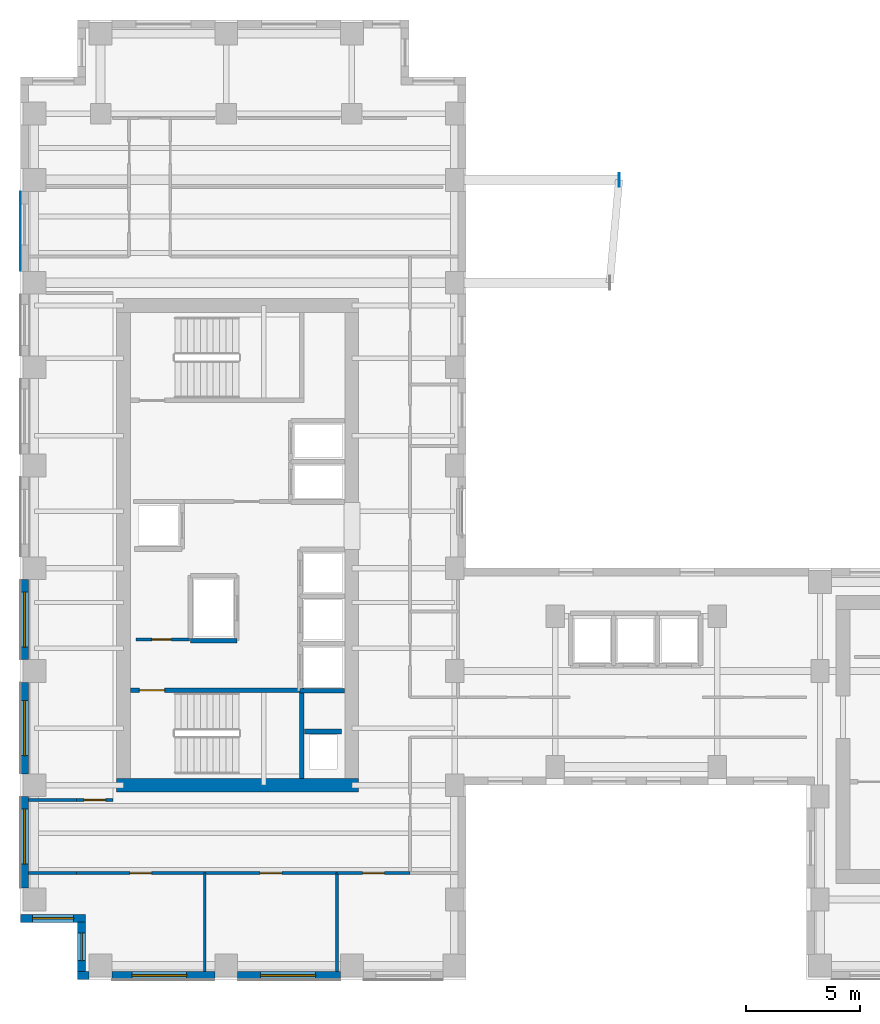
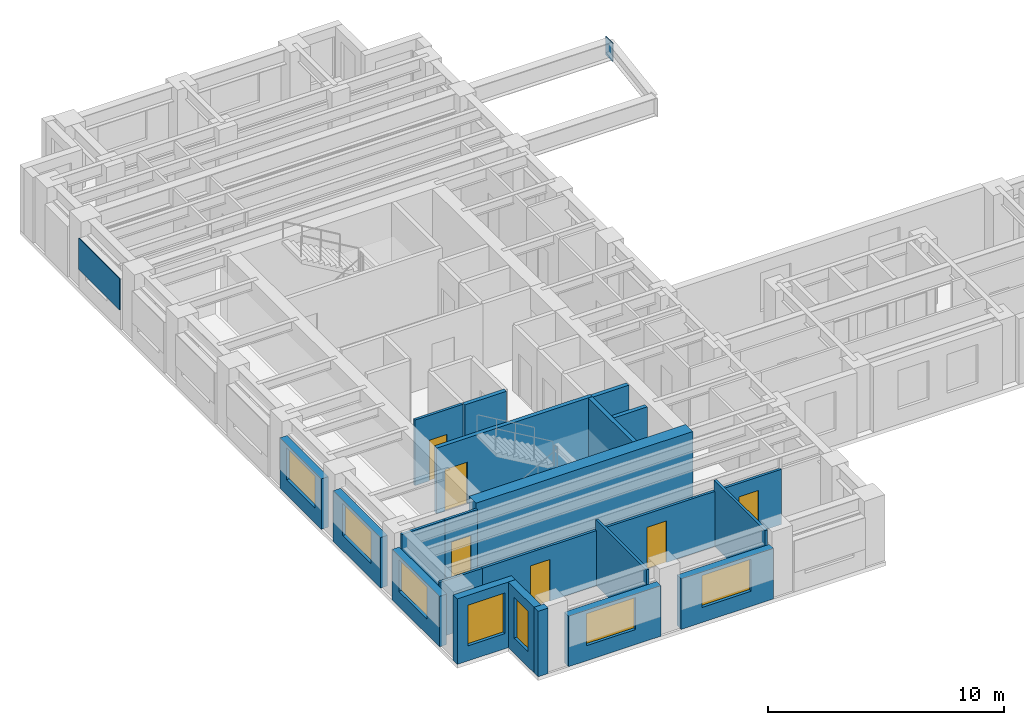
# One storey, part 6 of 14: 23 walls, 7 windows, 6 doors, 2 plates, 13 openings.
"""IFC4 building model written with IfcOpenShell, lengths in metres."""

from ifc_helpers import new_model, si_unit, direction, frame, frame_2d, origin, origin_2d, place, context, subcontext, project, spatial, rectangle, extrude, source, transform, mapped, material, layer, layer_set, type_object, element, fill, save


model = new_model("IFC4")

# Units and contexts
model_context = context("Model", 3, precision=1e-05, world=origin(), true_north=direction((0.0, 1.0)))
body_context = subcontext(model_context, "Body", "Model", "MODEL_VIEW")
ifc_project = project(units=[si_unit("LENGTHUNIT", "METRE"), si_unit("AREAUNIT", "SQUARE_METRE"), si_unit("VOLUMEUNIT", "CUBIC_METRE"), si_unit("PLANEANGLEUNIT", "RADIAN"), si_unit("MASSUNIT", "GRAM", prefix="KILO")], contexts=[model_context])

# Site, building, storey
site_placement = place(None, origin())
site = spatial("IfcSite", under=ifc_project, at=site_placement, CompositionType="ELEMENT")
building_placement = place(site_placement, origin())
building = spatial("IfcBuilding", under=site, at=building_placement, Name="Kharzan Plaza Tower", CompositionType="ELEMENT")
storey_placement = place(building_placement, frame((0.0, 0.0, 168.300048828125)))
storey = spatial("IfcBuildingStorey", under=building, at=storey_placement, Name="L45", CompositionType="ELEMENT", Elevation=168.300048828125)

# Plates
ifc_material_1 = material(Name="Steel S460", Category="steel")
ifc_layer_1 = layer(ifc_material_1, 0.0419921875)
ifc_layer_set_1 = layer_set([ifc_layer_1], Name="Steel S460")
plate_type_1 = type_object("IfcPlateType", Name="PLT-ZTN1", PredefinedType="USERDEFINED", material=ifc_layer_set_1)
shared_shape_1 = source(origin(), body_context, "Body", "SweptSolid", [
    extrude(rectangle(XDim=0.60009765625, YDim=0.0419921875, at=origin_2d()), origin(), (0.0, 0.0, 1.0), 0.949951171875),
])
plate_1_placement = place(storey_placement, frame((26.199951171875, 35.0, 2.44140625), z_axis=(0.0, 0.0, 1.0), x_axis=(0.0, 1.0, 0.0)))
element("IfcPlate", 1, at=plate_1_placement, inside=storey, type_object=plate_type_1, Name="L45 Sky-Terrace Cantilever Tip Plate ZTN1", ObjectType="FLANGE_PLATE", PredefinedType="USERDEFINED", context=body_context, shape_type="MappedRepresentation", body=[
    mapped(shared_shape_1, transform((0.0, 0.0, 0.0), x_axis=(1.0, 0.0, 0.0), y_axis=(0.0, 1.0, 0.0), z_axis=(0.0, 0.0, 1.0))),
])
ifc_material_2 = material(Name="Perforated Bronze-Anodized Aluminium", Category="aluminium")
ifc_layer_2 = layer(ifc_material_2, 0.030029296875)
ifc_layer_set_2 = layer_set([ifc_layer_2], Name="Perforated Bronze-Anodized Aluminium")
plate_type_2 = type_object("IfcPlateType", Name="PLT-MASH-SCREEN", PredefinedType="SHEET", material=ifc_layer_set_2)
shared_shape_2 = source(origin(), body_context, "Body", "SweptSolid", [
    extrude(rectangle(XDim=3.464111328125, YDim=0.030029296875, at=origin_2d()), origin(), (0.0, 0.0, 1.0), 1.632080078125),
])
plate_2_placement = place(storey_placement, frame((-0.012939453125, 32.75, 1.013671875), z_axis=(0.0, 0.0, 1.0), x_axis=(0.0, -1.0, 0.0)))
element("IfcPlate", 2, at=plate_2_placement, inside=storey, type_object=plate_type_2, Name="L45 Perforated Mashrabiya Solar Screen", PredefinedType="SHEET", context=body_context, shape_type="MappedRepresentation", body=[
    mapped(shared_shape_2, transform((0.0, 0.0, 0.0), x_axis=(1.0, 0.0, 0.0), y_axis=(0.0, 1.0, 0.0), z_axis=(0.0, 0.0, 1.0))),
])

# Wall, opening, window
ifc_material_3 = material(Name="Concrete C40/50", Category="concrete")
ifc_layer_3 = layer(ifc_material_3, 0.35009765625)
ifc_layer_set_3 = layer_set([ifc_layer_3], Name="Concrete C40/50")
wall_type_1 = type_object("IfcWallType", Name="WL-EXT-MAS-Z3", PredefinedType="SOLIDWALL", material=ifc_layer_set_3)
wall_1_placement = place(storey_placement, frame((0.175048828125, 17.501953125, 0.0), z_axis=(0.0, 0.0, 1.0), x_axis=(0.0, -1.0, 0.0)))
wall_1 = element("IfcWall", 3, at=wall_1_placement, inside=storey, type_object=wall_type_1, Name="L45 Masonry-Frame Exterior Wall 15", PredefinedType="SOLIDWALL", context=body_context, shape_type="SweptSolid", body=[
    extrude(rectangle(XDim=3.50390625, YDim=0.35009765625, at=frame_2d((1.751953125, 0.0))), origin(), (0.0, 0.0, 1.0), 2.612060546875),
])
opening_1_placement = place(wall_1_placement, frame((0.552001953125, 0.0, 0.780029296875)))
opening_1 = element("IfcOpeningElement", 4, at=opening_1_placement, cuts=wall_1, Name="Opening W2", PredefinedType="OPENING", context=body_context, shape_type="SweptSolid", body=[
    extrude(rectangle(XDim=2.39990234375, YDim=1.652099609375, at=frame_2d((1.199951171875, 0.826171875))), frame((0.0, 0.18505859375, 0.0), z_axis=(0.0, -1.0, 0.0), x_axis=(1.0, 0.0, 0.0)), (0.0, 0.0, 1.0), 0.3701171875),
])
ifc_material_4 = material(Name="Low-E Double Glazing", Category="glass")
window_type_1 = type_object("IfcWindowType", Name="WN-REC-2400x2100", PartitioningType="SINGLE_PANEL", PredefinedType="WINDOW", material=ifc_material_4)
shared_shape_3 = source(origin(), body_context, "Body", "SweptSolid", [
    extrude(rectangle(XDim=2.39990234375, YDim=1.652099609375, at=frame_2d((1.199951171875, 0.826171875))), frame((0.0, 0.030029296875, 0.0), z_axis=(0.0, -1.0, 0.0), x_axis=(1.0, 0.0, 0.0)), (0.0, 0.0, 1.0), 0.06005859375),
])
window_1_placement = place(opening_1_placement, origin())
window_1 = element("IfcWindow", 5, at=window_1_placement, inside=storey, type_object=window_type_1, Name="L45 Wide Recessed Solar-Control Window 15-1", OverallHeight=1.652099609375, OverallWidth=2.39990234375, PartitioningType="SINGLE_PANEL", PredefinedType="WINDOW", context=body_context, shape_type="MappedRepresentation", body=[
    mapped(shared_shape_3, transform((0.0, 0.0, 0.0), x_axis=(1.0, 0.0, 0.0), y_axis=(0.0, 1.0, 0.0), z_axis=(0.0, 0.0, 1.0))),
])
fill(opening_1, window_1)

wall_2_placement = place(storey_placement, frame((0.175048828125, 13.001953125, 0.0), z_axis=(0.0, 0.0, 1.0), x_axis=(0.0, -1.0, 0.0)))
wall_2 = element("IfcWall", 6, at=wall_2_placement, inside=storey, type_object=wall_type_1, Name="L45 Masonry-Frame Exterior Wall 16", PredefinedType="SOLIDWALL", context=body_context, shape_type="SweptSolid", body=[
    extrude(rectangle(XDim=4.00390625, YDim=0.35009765625, at=frame_2d((2.001953125, 0.0))), origin(), (0.0, 0.0, 1.0), 2.612060546875),
])
opening_2_placement = place(wall_2_placement, frame((0.802001953125, 0.0, 0.780029296875)))
opening_2 = element("IfcOpeningElement", 7, at=opening_2_placement, cuts=wall_2, Name="Opening W2", PredefinedType="OPENING", context=body_context, shape_type="SweptSolid", body=[
    extrude(rectangle(XDim=2.39990234375, YDim=1.652099609375, at=frame_2d((1.199951171875, 0.826171875))), frame((0.0, 0.18505859375, 0.0), z_axis=(0.0, -1.0, 0.0), x_axis=(1.0, 0.0, 0.0)), (0.0, 0.0, 1.0), 0.3701171875),
])
window_2_placement = place(opening_2_placement, origin())
window_2 = element("IfcWindow", 8, at=window_2_placement, inside=storey, type_object=window_type_1, Name="L45 Wide Recessed Solar-Control Window 16-1", OverallHeight=1.652099609375, OverallWidth=2.39990234375, PartitioningType="SINGLE_PANEL", PredefinedType="WINDOW", context=body_context, shape_type="MappedRepresentation", body=[
    mapped(shared_shape_3, transform((0.0, 0.0, 0.0), x_axis=(1.0, 0.0, 0.0), y_axis=(0.0, 1.0, 0.0), z_axis=(0.0, 0.0, 1.0))),
])
fill(opening_2, window_2)

wall_3_placement = place(storey_placement, frame((0.175048828125, 8.001953125, 0.0), z_axis=(0.0, 0.0, 1.0), x_axis=(0.0, -1.0, 0.0)))
wall_3 = element("IfcWall", 9, at=wall_3_placement, inside=storey, type_object=wall_type_1, Name="L45 Masonry-Frame Exterior Wall 17", PredefinedType="SOLIDWALL", context=body_context, shape_type="SweptSolid", body=[
    extrude(rectangle(XDim=4.00390625, YDim=0.35009765625, at=frame_2d((2.001953125, 0.0))), origin(), (0.0, 0.0, 1.0), 2.612060546875),
])
opening_3_placement = place(wall_3_placement, frame((0.552001953125, 0.0, 0.780029296875)))
opening_3 = element("IfcOpeningElement", 10, at=opening_3_placement, cuts=wall_3, Name="Opening W2", PredefinedType="OPENING", context=body_context, shape_type="SweptSolid", body=[
    extrude(rectangle(XDim=2.39990234375, YDim=1.652099609375, at=frame_2d((1.199951171875, 0.826171875))), frame((0.0, 0.18505859375, 0.0), z_axis=(0.0, -1.0, 0.0), x_axis=(1.0, 0.0, 0.0)), (0.0, 0.0, 1.0), 0.3701171875),
])
window_3_placement = place(opening_3_placement, origin())
window_3 = element("IfcWindow", 11, at=window_3_placement, inside=storey, type_object=window_type_1, Name="L45 Wide Recessed Solar-Control Window 17-1", OverallHeight=1.652099609375, OverallWidth=2.39990234375, PartitioningType="SINGLE_PANEL", PredefinedType="WINDOW", context=body_context, shape_type="MappedRepresentation", body=[
    mapped(shared_shape_3, transform((0.0, 0.0, 0.0), x_axis=(1.0, 0.0, 0.0), y_axis=(0.0, 1.0, 0.0), z_axis=(0.0, 0.0, 1.0))),
])
fill(opening_3, window_3)

wall_4_placement = place(storey_placement, frame((0.0, 2.675048828125, 0.0), z_axis=(0.0, 0.0, 1.0), x_axis=(1.0, 0.0, 0.0)))
wall_4 = element("IfcWall", 12, at=wall_4_placement, inside=storey, type_object=wall_type_1, Name="L45 Masonry-Frame Exterior Wall 18", PredefinedType="SOLIDWALL", context=body_context, shape_type="SweptSolid", body=[
    extrude(rectangle(XDim=2.85009765625, YDim=0.35009765625, at=frame_2d((1.425048828125, 0.0))), origin(), (0.0, 0.0, 1.0), 3.385009765625),
])
opening_4_placement = place(wall_4_placement, frame((0.52490234375, 0.0, 0.780029296875)))
opening_4 = element("IfcOpeningElement", 13, at=opening_4_placement, cuts=wall_4, Name="Opening W1", PredefinedType="OPENING", context=body_context, shape_type="SweptSolid", body=[
    extrude(rectangle(XDim=1.800048828125, YDim=2.10009765625, at=frame_2d((0.89990234375, 1.050048828125))), frame((0.0, 0.18505859375, 0.0), z_axis=(0.0, -1.0, 0.0), x_axis=(1.0, 0.0, 0.0)), (0.0, 0.0, 1.0), 0.3701171875),
])
window_type_2 = type_object("IfcWindowType", Name="WN-REC-1800x2100", PartitioningType="SINGLE_PANEL", PredefinedType="WINDOW", material=ifc_material_4)
shared_shape_4 = source(origin(), body_context, "Body", "SweptSolid", [
    extrude(rectangle(XDim=1.800048828125, YDim=2.10009765625, at=frame_2d((0.89990234375, 1.050048828125))), frame((0.0, 0.030029296875, 0.0), z_axis=(0.0, -1.0, 0.0), x_axis=(1.0, 0.0, 0.0)), (0.0, 0.0, 1.0), 0.06005859375),
])
window_4_placement = place(opening_4_placement, origin())
window_4 = element("IfcWindow", 14, at=window_4_placement, inside=storey, type_object=window_type_2, Name="L45 Recessed Solar-Control Window 18-1", OverallHeight=2.10009765625, OverallWidth=1.800048828125, PartitioningType="SINGLE_PANEL", PredefinedType="WINDOW", context=body_context, shape_type="MappedRepresentation", body=[
    mapped(shared_shape_4, transform((0.0, 0.0, 0.0), x_axis=(1.0, 0.0, 0.0), y_axis=(0.0, 1.0, 0.0), z_axis=(0.0, 0.0, 1.0))),
])
fill(opening_4, window_4)

wall_5_placement = place(storey_placement, frame((2.675048828125, 2.501953125, 0.0), z_axis=(0.0, 0.0, 1.0), x_axis=(0.0, -1.0, 0.0)))
wall_5 = element("IfcWall", 15, at=wall_5_placement, inside=storey, type_object=wall_type_1, Name="L45 Masonry-Frame Exterior Wall 19", PredefinedType="SOLIDWALL", context=body_context, shape_type="SweptSolid", body=[
    extrude(rectangle(XDim=2.154052734375, YDim=0.35009765625, at=frame_2d((1.0771484375, 0.0))), origin(), (0.0, 0.0, 1.0), 3.385009765625),
])
opening_5_placement = place(wall_5_placement, frame((0.47705078125, 0.0, 0.780029296875)))
opening_5 = element("IfcOpeningElement", 16, at=opening_5_placement, cuts=wall_5, Name="Opening W3", PredefinedType="OPENING", context=body_context, shape_type="SweptSolid", body=[
    extrude(rectangle(XDim=1.199951171875, YDim=2.10009765625, at=frame_2d((0.60009765625, 1.050048828125))), frame((0.0, 0.18505859375, 0.0), z_axis=(0.0, -1.0, 0.0), x_axis=(1.0, 0.0, 0.0)), (0.0, 0.0, 1.0), 0.3701171875),
])
window_type_3 = type_object("IfcWindowType", Name="WN-REC-1200x2100", PartitioningType="SINGLE_PANEL", PredefinedType="WINDOW", material=ifc_material_4)
shared_shape_5 = source(origin(), body_context, "Body", "SweptSolid", [
    extrude(rectangle(XDim=1.199951171875, YDim=2.10009765625, at=frame_2d((0.60009765625, 1.050048828125))), frame((0.0, 0.030029296875, 0.0), z_axis=(0.0, -1.0, 0.0), x_axis=(1.0, 0.0, 0.0)), (0.0, 0.0, 1.0), 0.06005859375),
])
window_5_placement = place(opening_5_placement, origin())
window_5 = element("IfcWindow", 17, at=window_5_placement, inside=storey, type_object=window_type_3, Name="L45 Recessed Solar-Control Window 19-1", OverallHeight=2.10009765625, OverallWidth=1.199951171875, PartitioningType="SINGLE_PANEL", PredefinedType="WINDOW", context=body_context, shape_type="MappedRepresentation", body=[
    mapped(shared_shape_5, transform((0.0, 0.0, 0.0), x_axis=(1.0, 0.0, 0.0), y_axis=(0.0, 1.0, 0.0), z_axis=(0.0, 0.0, 1.0))),
])
fill(opening_5, window_5)

wall_6_placement = place(storey_placement, frame((3.998046875, 0.175048828125, 0.0), z_axis=(0.0, 0.0, 1.0), x_axis=(1.0, 0.0, 0.0)))
wall_6 = element("IfcWall", 18, at=wall_6_placement, inside=storey, type_object=wall_type_1, Name="L45 Masonry-Frame Exterior Wall 21", PredefinedType="SOLIDWALL", context=body_context, shape_type="SweptSolid", body=[
    extrude(rectangle(XDim=4.50390625, YDim=0.35009765625, at=frame_2d((2.251953125, 0.0))), origin(), (0.0, 0.0, 1.0), 2.612060546875),
])
opening_6_placement = place(wall_6_placement, frame((0.866455078125, 0.0, 0.780029296875)))
opening_6 = element("IfcOpeningElement", 19, at=opening_6_placement, cuts=wall_6, Name="Opening W2", PredefinedType="OPENING", context=body_context, shape_type="SweptSolid", body=[
    extrude(rectangle(XDim=2.39990234375, YDim=1.652099609375, at=frame_2d((1.199951171875, 0.826171875))), frame((0.0, 0.18505859375, 0.0), z_axis=(0.0, -1.0, 0.0), x_axis=(1.0, 0.0, 0.0)), (0.0, 0.0, 1.0), 0.3701171875),
])
window_6_placement = place(opening_6_placement, origin())
window_6 = element("IfcWindow", 20, at=window_6_placement, inside=storey, type_object=window_type_1, Name="L45 Wide Recessed Solar-Control Window 21-1", OverallHeight=1.652099609375, OverallWidth=2.39990234375, PartitioningType="SINGLE_PANEL", PredefinedType="WINDOW", context=body_context, shape_type="MappedRepresentation", body=[
    mapped(shared_shape_3, transform((0.0, 0.0, 0.0), x_axis=(1.0, 0.0, 0.0), y_axis=(0.0, 1.0, 0.0), z_axis=(0.0, 0.0, 1.0))),
])
fill(opening_6, window_6)

wall_7_placement = place(storey_placement, frame((9.498046875, 0.175048828125, 0.0), z_axis=(0.0, 0.0, 1.0), x_axis=(1.0, 0.0, 0.0)))
wall_7 = element("IfcWall", 21, at=wall_7_placement, inside=storey, type_object=wall_type_1, Name="L45 Masonry-Frame Exterior Wall 22", PredefinedType="SOLIDWALL", context=body_context, shape_type="SweptSolid", body=[
    extrude(rectangle(XDim=4.50390625, YDim=0.35009765625, at=frame_2d((2.251953125, 0.0))), origin(), (0.0, 0.0, 1.0), 2.612060546875),
])
opening_7_placement = place(wall_7_placement, frame((1.012939453125, 0.0, 0.780029296875)))
opening_7 = element("IfcOpeningElement", 22, at=opening_7_placement, cuts=wall_7, Name="Opening W2", PredefinedType="OPENING", context=body_context, shape_type="SweptSolid", body=[
    extrude(rectangle(XDim=2.39990234375, YDim=1.652099609375, at=frame_2d((1.199951171875, 0.826171875))), frame((0.0, 0.18505859375, 0.0), z_axis=(0.0, -1.0, 0.0), x_axis=(1.0, 0.0, 0.0)), (0.0, 0.0, 1.0), 0.3701171875),
])
window_7_placement = place(opening_7_placement, origin())
window_7 = element("IfcWindow", 23, at=window_7_placement, inside=storey, type_object=window_type_1, Name="L45 Wide Recessed Solar-Control Window 22-1", OverallHeight=1.652099609375, OverallWidth=2.39990234375, PartitioningType="SINGLE_PANEL", PredefinedType="WINDOW", context=body_context, shape_type="MappedRepresentation", body=[
    mapped(shared_shape_3, transform((0.0, 0.0, 0.0), x_axis=(1.0, 0.0, 0.0), y_axis=(0.0, 1.0, 0.0), z_axis=(0.0, 0.0, 1.0))),
])
fill(opening_7, window_7)

# Wall, opening, door
ifc_material_5 = material(Name="Fire-Rated Gypsum Board Partition", Category="gypsum")
ifc_layer_4 = layer(ifc_material_5, 0.125)
ifc_layer_set_4 = layer_set([ifc_layer_4], Name="Fire-Rated Gypsum Board Partition")
wall_type_2 = type_object("IfcWallType", Name="WL-INT-PART-125", PredefinedType="PARTITIONING", material=ifc_layer_set_4)
wall_8_placement = place(storey_placement, frame((5.050048828125, 14.8798828125, 0.0), z_axis=(0.0, 0.0, 1.0), x_axis=(1.0, 0.0, 0.0)))
wall_8 = element("IfcWall", 24, at=wall_8_placement, inside=storey, type_object=wall_type_2, Name="L45 Interior Partition CA-K0", PredefinedType="PARTITIONING", context=body_context, shape_type="SweptSolid", body=[
    extrude(rectangle(XDim=2.349853515625, YDim=0.125, at=frame_2d((1.1748046875, 0.0))), origin(), (0.0, 0.0, 1.0), 3.385009765625),
])
opening_8_placement = place(wall_8_placement, frame((0.699951171875, 0.0, 0.0)))
opening_8 = element("IfcOpeningElement", 25, at=opening_8_placement, cuts=wall_8, Name="Opening RD1", PredefinedType="OPENING", context=body_context, shape_type="SweptSolid", body=[
    extrude(rectangle(XDim=0.85009765625, YDim=2.10009765625, at=frame_2d((0.425048828125, 1.050048828125))), frame((0.0, 0.072509765625, 0.0), z_axis=(0.0, -1.0, 0.0), x_axis=(1.0, 0.0, 0.0)), (0.0, 0.0, 1.0), 0.14501953125),
])
ifc_material_6 = material(Name="Powder-Coated Fire-Rated Steel", Category="steel")
door_type_1 = type_object("IfcDoorType", Name="DR-RISER-900", OperationType="NOTDEFINED", PredefinedType="DOOR", material=ifc_material_6)
shared_shape_6 = source(origin(), body_context, "Body", "SweptSolid", [
    extrude(rectangle(XDim=0.85009765625, YDim=2.10009765625, at=frame_2d((0.425048828125, 1.050048828125))), frame((0.0, 0.02490234375, 0.0), z_axis=(0.0, -1.0, 0.0), x_axis=(1.0, 0.0, 0.0)), (0.0, 0.0, 1.0), 0.050048828125),
])
door_1_placement = place(opening_8_placement, origin())
door_1 = element("IfcDoor", 26, at=door_1_placement, inside=storey, type_object=door_type_1, Name="L45 Cleaners Store Door", OperationType="SINGLE_SWING_LEFT", OverallHeight=2.10009765625, OverallWidth=0.85009765625, PredefinedType="DOOR", context=body_context, shape_type="MappedRepresentation", body=[
    mapped(shared_shape_6, transform((0.0, 0.0, 0.0), x_axis=(1.0, 0.0, 0.0), y_axis=(0.0, 1.0, 0.0), z_axis=(0.0, 0.0, 1.0))),
])
fill(opening_8, door_1)

wall_9_placement = place(storey_placement, frame((2.449951171875, 7.85009765625, 0.0), z_axis=(0.0, 0.0, 1.0), x_axis=(1.0, 0.0, 0.0)))
wall_9 = element("IfcWall", 27, at=wall_9_placement, inside=storey, type_object=wall_type_2, Name="L45 Interior Partition SH-RWSD", PredefinedType="PARTITIONING", context=body_context, shape_type="SweptSolid", body=[
    extrude(rectangle(XDim=1.60009765625, YDim=0.125, at=frame_2d((0.800048828125, 0.0))), origin(), (0.0, 0.0, 1.0), 3.385009765625),
])
opening_9_placement = place(wall_9_placement, frame((0.324951171875, 0.0, 0.0)))
opening_9 = element("IfcOpeningElement", 28, at=opening_9_placement, cuts=wall_9, Name="Opening OD1", PredefinedType="OPENING", context=body_context, shape_type="SweptSolid", body=[
    extrude(rectangle(XDim=0.949951171875, YDim=2.14990234375, at=frame_2d((0.47509765625, 1.074951171875))), frame((0.0, 0.072509765625, 0.0), z_axis=(0.0, -1.0, 0.0), x_axis=(1.0, 0.0, 0.0)), (0.0, 0.0, 1.0), 0.14501953125),
])
ifc_material_7 = material(Name="Acoustic Solid-Core Stained Oak", Category="timber")
door_type_2 = type_object("IfcDoorType", Name="DR-OFF-SINGLE", OperationType="NOTDEFINED", PredefinedType="DOOR", material=ifc_material_7)
shared_shape_7 = source(origin(), body_context, "Body", "SweptSolid", [
    extrude(rectangle(XDim=0.949951171875, YDim=2.14990234375, at=frame_2d((0.47509765625, 1.074951171875))), frame((0.0, 0.02490234375, 0.0), z_axis=(0.0, -1.0, 0.0), x_axis=(1.0, 0.0, 0.0)), (0.0, 0.0, 1.0), 0.050048828125),
])
door_2_placement = place(opening_9_placement, origin())
door_2 = element("IfcDoor", 29, at=door_2_placement, inside=storey, type_object=door_type_2, Name="L45 West Studio South Door", OperationType="SINGLE_SWING_RIGHT", OverallHeight=2.14990234375, OverallWidth=0.949951171875, PredefinedType="DOOR", context=body_context, shape_type="MappedRepresentation", body=[
    mapped(shared_shape_7, transform((0.0, 0.0, 0.0), x_axis=(1.0, 0.0, 0.0), y_axis=(0.0, 1.0, 0.0), z_axis=(0.0, 0.0, 1.0))),
])
fill(opening_9, door_2)

wall_10_placement = place(storey_placement, frame((2.449951171875, 4.64990234375, 0.0), z_axis=(0.0, 0.0, 1.0), x_axis=(1.0, 0.0, 0.0)))
wall_10 = element("IfcWall", 30, at=wall_10_placement, inside=storey, type_object=wall_type_2, Name="L45 Interior Partition SH-SS-1", PredefinedType="PARTITIONING", context=body_context, shape_type="SweptSolid", body=[
    extrude(rectangle(XDim=5.611083984375, YDim=0.125, at=frame_2d((2.8056640625, 0.0))), origin(), (0.0, 0.0, 1.0), 2.847900390625),
])
opening_10_placement = place(wall_10_placement, frame((2.33056640625, 0.0, 0.0)))
opening_10 = element("IfcOpeningElement", 31, at=opening_10_placement, cuts=wall_10, Name="Opening OD1", PredefinedType="OPENING", context=body_context, shape_type="SweptSolid", body=[
    extrude(rectangle(XDim=0.949951171875, YDim=2.14990234375, at=frame_2d((0.47509765625, 1.074951171875))), frame((0.0, 0.072509765625, 0.0), z_axis=(0.0, -1.0, 0.0), x_axis=(1.0, 0.0, 0.0)), (0.0, 0.0, 1.0), 0.14501953125),
])
door_3_placement = place(opening_10_placement, origin())
door_3 = element("IfcDoor", 32, at=door_3_placement, inside=storey, type_object=door_type_2, Name="L45 Cloud Architecture Office Door", OperationType="SINGLE_SWING_LEFT", OverallHeight=2.14990234375, OverallWidth=0.949951171875, PredefinedType="DOOR", context=body_context, shape_type="MappedRepresentation", body=[
    mapped(shared_shape_7, transform((0.0, 0.0, 0.0), x_axis=(1.0, 0.0, 0.0), y_axis=(0.0, 1.0, 0.0), z_axis=(0.0, 0.0, 1.0))),
])
fill(opening_10, door_3)

wall_11_placement = place(storey_placement, frame((8.06103515625, 4.64990234375, 0.0), z_axis=(0.0, 0.0, 1.0), x_axis=(1.0, 0.0, 0.0)))
wall_11 = element("IfcWall", 33, at=wall_11_placement, inside=storey, type_object=wall_type_2, Name="L45 Interior Partition SH-SS-2", PredefinedType="PARTITIONING", context=body_context, shape_type="SweptSolid", body=[
    extrude(rectangle(XDim=5.79296875, YDim=0.125, at=frame_2d((2.896484375, 0.0))), origin(), (0.0, 0.0, 1.0), 2.847900390625),
])
opening_11_placement = place(wall_11_placement, frame((2.42138671875, 0.0, 0.0)))
opening_11 = element("IfcOpeningElement", 34, at=opening_11_placement, cuts=wall_11, Name="Opening OD1", PredefinedType="OPENING", context=body_context, shape_type="SweptSolid", body=[
    extrude(rectangle(XDim=0.949951171875, YDim=2.14990234375, at=frame_2d((0.47509765625, 1.074951171875))), frame((0.0, 0.072509765625, 0.0), z_axis=(0.0, -1.0, 0.0), x_axis=(1.0, 0.0, 0.0)), (0.0, 0.0, 1.0), 0.14501953125),
])
door_4_placement = place(opening_11_placement, origin())
door_4 = element("IfcDoor", 35, at=door_4_placement, inside=storey, type_object=door_type_2, Name="L45 Sprint Review Meeting Room Door", OperationType="SINGLE_SWING_RIGHT", OverallHeight=2.14990234375, OverallWidth=0.949951171875, PredefinedType="DOOR", context=body_context, shape_type="MappedRepresentation", body=[
    mapped(shared_shape_7, transform((0.0, 0.0, 0.0), x_axis=(1.0, 0.0, 0.0), y_axis=(0.0, 1.0, 0.0), z_axis=(0.0, 0.0, 1.0))),
])
fill(opening_11, door_4)

wall_12_placement = place(storey_placement, frame((13.85400390625, 4.64990234375, 0.0), z_axis=(0.0, 0.0, 1.0), x_axis=(1.0, 0.0, 0.0)))
wall_12 = element("IfcWall", 36, at=wall_12_placement, inside=storey, type_object=wall_type_2, Name="L45 Interior Partition SH-SS-3", PredefinedType="PARTITIONING", context=body_context, shape_type="SweptSolid", body=[
    extrude(rectangle(XDim=3.196044921875, YDim=0.125, at=frame_2d((1.59814453125, 0.0))), origin(), (0.0, 0.0, 1.0), 2.847900390625),
])
opening_12_placement = place(wall_12_placement, frame((1.123046875, 0.0, 0.0)))
opening_12 = element("IfcOpeningElement", 37, at=opening_12_placement, cuts=wall_12, Name="Opening OD1", PredefinedType="OPENING", context=body_context, shape_type="SweptSolid", body=[
    extrude(rectangle(XDim=0.949951171875, YDim=2.14990234375, at=frame_2d((0.47509765625, 1.074951171875))), frame((0.0, 0.072509765625, 0.0), z_axis=(0.0, -1.0, 0.0), x_axis=(1.0, 0.0, 0.0)), (0.0, 0.0, 1.0), 0.14501953125),
])
door_5_placement = place(opening_12_placement, origin())
door_5 = element("IfcDoor", 38, at=door_5_placement, inside=storey, type_object=door_type_2, Name="L45 Staff Tea Pantry Door", OperationType="SINGLE_SWING_LEFT", OverallHeight=2.14990234375, OverallWidth=0.949951171875, PredefinedType="DOOR", context=body_context, shape_type="MappedRepresentation", body=[
    mapped(shared_shape_7, transform((0.0, 0.0, 0.0), x_axis=(1.0, 0.0, 0.0), y_axis=(0.0, 1.0, 0.0), z_axis=(0.0, 0.0, 1.0))),
])
fill(opening_12, door_5)

ifc_material_8 = material(Name="Concrete C50/60", Category="concrete")
ifc_layer_5 = layer(ifc_material_8, 0.199951171875)
ifc_layer_set_5 = layer_set([ifc_layer_5], Name="Concrete C50/60")
wall_type_3 = type_object("IfcWallType", Name="WL-SHAFT-RC200", PredefinedType="SHEAR", material=ifc_layer_set_5)
wall_13_placement = place(storey_placement, frame((4.802001953125, 12.655029296875, 0.0), z_axis=(0.0, 0.0, 1.0), x_axis=(1.0, 0.0, 0.0)))
wall_13 = element("IfcWall", 39, at=wall_13_placement, inside=storey, type_object=wall_type_3, Name="L45 Stair ST-1 North RC Shaft Wall", PredefinedType="SHEAR", context=body_context, shape_type="SweptSolid", body=[
    extrude(rectangle(XDim=7.60302734375, YDim=0.199951171875, at=frame_2d((3.801513671875, 0.0))), origin(), (0.0, 0.0, 1.0), 3.39990234375),
])
opening_13_placement = place(wall_13_placement, frame((0.39990234375, 0.0, 0.0)))
opening_13 = element("IfcOpeningElement", 40, at=opening_13_placement, cuts=wall_13, Name="Opening SD1", PredefinedType="OPENING", context=body_context, shape_type="SweptSolid", body=[
    extrude(rectangle(XDim=1.10009765625, YDim=2.14990234375, at=frame_2d((0.550048828125, 1.074951171875))), frame((0.0, 0.10986328125, 0.0), z_axis=(0.0, -1.0, 0.0), x_axis=(1.0, 0.0, 0.0)), (0.0, 0.0, 1.0), 0.219970703125),
])
ifc_material_9 = material(Name="Fire-Rated Hollow Galvanized Steel", Category="steel")
door_type_3 = type_object("IfcDoorType", Name="DR-STAIR-FD120", OperationType="NOTDEFINED", PredefinedType="DOOR", material=ifc_material_9)
shared_shape_8 = source(origin(), body_context, "Body", "SweptSolid", [
    extrude(rectangle(XDim=1.10009765625, YDim=2.14990234375, at=frame_2d((0.550048828125, 1.074951171875))), frame((0.0, 0.02490234375, 0.0), z_axis=(0.0, -1.0, 0.0), x_axis=(1.0, 0.0, 0.0)), (0.0, 0.0, 1.0), 0.050048828125),
])
door_6_placement = place(opening_13_placement, origin())
door_6 = element("IfcDoor", 41, at=door_6_placement, inside=storey, type_object=door_type_3, Name="L45 Stair ST-1 Fire Exit Door", OperationType="SINGLE_SWING_RIGHT", OverallHeight=2.14990234375, OverallWidth=1.10009765625, PredefinedType="DOOR", context=body_context, shape_type="MappedRepresentation", body=[
    mapped(shared_shape_8, transform((0.0, 0.0, 0.0), x_axis=(1.0, 0.0, 0.0), y_axis=(0.0, 1.0, 0.0), z_axis=(0.0, 0.0, 1.0))),
])
fill(opening_13, door_6)

# Walls
ifc_layer_6 = layer(ifc_material_8, 0.60009765625)
ifc_layer_set_6 = layer_set([ifc_layer_6], Name="Concrete C50/60")
wall_type_4 = type_object("IfcWallType", Name="WL-CORE-600", PredefinedType="SHEAR", material=ifc_layer_set_6)
shared_shape_9 = source(origin(), body_context, "Body", "SweptSolid", [
    extrude(rectangle(XDim=10.60009765625, YDim=0.60009765625, at=frame_2d((5.300048828125, 0.0))), origin(), (0.0, 0.0, 1.0), 3.39990234375),
])
wall_14_placement = place(storey_placement, frame((4.199951171875, 8.5, 0.0), z_axis=(0.0, 0.0, 1.0), x_axis=(1.0, 0.0, 0.0)))
element("IfcWall", 42, at=wall_14_placement, inside=storey, type_object=wall_type_4, Name="L45 CORE-A south RC shear wall", PredefinedType="SHEAR", context=body_context, shape_type="MappedRepresentation", body=[
    mapped(shared_shape_9, transform((0.0, 0.0, 0.0), x_axis=(1.0, 0.0, 0.0), y_axis=(0.0, 1.0, 0.0), z_axis=(0.0, 0.0, 1.0))),
])
shared_shape_10 = source(origin(), body_context, "Body", "SweptSolid", [
    extrude(rectangle(XDim=0.501953125, YDim=0.35009765625, at=frame_2d((0.2509765625, 0.0))), origin(), (0.0, 0.0, 1.0), 3.385009765625),
])
wall_15_placement = place(storey_placement, frame((2.5, 0.175048828125, 0.0), z_axis=(0.0, 0.0, 1.0), x_axis=(1.0, 0.0, 0.0)))
element("IfcWall", 43, at=wall_15_placement, inside=storey, type_object=wall_type_1, Name="L45 Masonry-Frame Exterior Wall 20", PredefinedType="SOLIDWALL", context=body_context, shape_type="MappedRepresentation", body=[
    mapped(shared_shape_10, transform((0.0, 0.0, 0.0), x_axis=(1.0, 0.0, 0.0), y_axis=(0.0, 1.0, 0.0), z_axis=(0.0, 0.0, 1.0))),
])
shared_shape_11 = source(origin(), body_context, "Body", "SweptSolid", [
    extrude(rectangle(XDim=2.097900390625, YDim=0.125, at=frame_2d((1.048828125, 0.0))), origin(), (0.0, 0.0, 1.0), 3.385009765625),
])
wall_16_placement = place(storey_placement, frame((0.35205078125, 7.85009765625, 0.0), z_axis=(0.0, 0.0, 1.0), x_axis=(1.0, 0.0, 0.0)))
element("IfcWall", 44, at=wall_16_placement, inside=storey, type_object=wall_type_2, Name="L45 Interior Partition SH-RWS0", PredefinedType="PARTITIONING", context=body_context, shape_type="MappedRepresentation", body=[
    mapped(shared_shape_11, transform((0.0, 0.0, 0.0), x_axis=(1.0, 0.0, 0.0), y_axis=(0.0, 1.0, 0.0), z_axis=(0.0, 0.0, 1.0))),
])
shared_shape_12 = source(origin(), body_context, "Body", "SweptSolid", [
    extrude(rectangle(XDim=2.097900390625, YDim=0.125, at=frame_2d((1.048828125, 0.0))), origin(), (0.0, 0.0, 1.0), 2.847900390625),
])
wall_17_placement = place(storey_placement, frame((0.35205078125, 4.64990234375, 0.0), z_axis=(0.0, 0.0, 1.0), x_axis=(1.0, 0.0, 0.0)))
element("IfcWall", 45, at=wall_17_placement, inside=storey, type_object=wall_type_2, Name="L45 Interior Partition SH-SS-EXT", PredefinedType="PARTITIONING", context=body_context, shape_type="MappedRepresentation", body=[
    mapped(shared_shape_12, transform((0.0, 0.0, 0.0), x_axis=(1.0, 0.0, 0.0), y_axis=(0.0, 1.0, 0.0), z_axis=(0.0, 0.0, 1.0))),
])
shared_shape_13 = source(origin(), body_context, "Body", "SweptSolid", [
    extrude(rectangle(XDim=4.2978515625, YDim=0.125, at=frame_2d((2.14892578125, 0.0))), origin(), (0.0, 0.0, 1.0), 3.385009765625),
])
for number, where, z_axis, x_axis, name in (
    (46, (8.06103515625, 0.35205078125, 0.0), (0.0, 0.0, 1.0), (0.0, 1.0, 0.0), "L45 Interior Partition SH-SV-1"),
    (47, (13.85400390625, 0.35205078125, 0.0), (0.0, 0.0, 1.0), (0.0, 1.0, 0.0), "L45 Interior Partition SH-SV-2"),
):
    element("IfcWall", number, at=place(storey_placement, frame(where, z_axis=z_axis, x_axis=x_axis)), inside=storey, type_object=wall_type_2, Name=name, PredefinedType="PARTITIONING", context=body_context, shape_type="MappedRepresentation", body=[
        mapped(shared_shape_13, transform((0.0, 0.0, 0.0), x_axis=(1.0, 0.0, 0.0), y_axis=(0.0, 1.0, 0.0), z_axis=(0.0, 0.0, 1.0))),
    ])
ifc_layer_7 = layer(ifc_material_3, 0.199951171875)
ifc_layer_set_7 = layer_set([ifc_layer_7], Name="Concrete C40/50")
wall_type_5 = type_object("IfcWallType", Name="WL-INT-SHAFT-200", PredefinedType="PARTITIONING", material=ifc_layer_set_7)
shared_shape_14 = source(origin(), body_context, "Body", "SweptSolid", [
    extrude(rectangle(XDim=1.630126953125, YDim=0.199951171875, at=frame_2d((0.81494140625, 0.0))), origin(), (0.0, 0.0, 1.0), 3.385009765625),
])
wall_18_placement = place(storey_placement, frame((12.419921875, 10.85009765625, 0.0), z_axis=(0.0, 0.0, 1.0), x_axis=(1.0, 0.0, 0.0)))
element("IfcWall", 48, at=wall_18_placement, inside=storey, type_object=wall_type_5, Name="L45 Interior Partition CA-RSRA-N", PredefinedType="PARTITIONING", context=body_context, shape_type="MappedRepresentation", body=[
    mapped(shared_shape_14, transform((0.0, 0.0, 0.0), x_axis=(1.0, 0.0, 0.0), y_axis=(0.0, 1.0, 0.0), z_axis=(0.0, 0.0, 1.0))),
])
shared_shape_15 = source(origin(), body_context, "Body", "SweptSolid", [
    extrude(rectangle(XDim=1.93994140625, YDim=0.199951171875, at=frame_2d((0.969970703125, 0.0))), origin(), (0.0, 0.0, 1.0), 3.385009765625),
])
wall_19_placement = place(storey_placement, frame((12.22998046875, 12.6298828125, 0.0), z_axis=(0.0, 0.0, 1.0), x_axis=(1.0, 0.0, 0.0)))
element("IfcWall", 49, at=wall_19_placement, inside=storey, type_object=wall_type_5, Name="L45 Interior Partition SHF-PL-H1-S", PredefinedType="PARTITIONING", context=body_context, shape_type="MappedRepresentation", body=[
    mapped(shared_shape_15, transform((0.0, 0.0, 0.0), x_axis=(1.0, 0.0, 0.0), y_axis=(0.0, 1.0, 0.0), z_axis=(0.0, 0.0, 1.0))),
])
shared_shape_16 = source(origin(), body_context, "Body", "SweptSolid", [
    extrude(rectangle(XDim=2.0400390625, YDim=0.199951171875, at=frame_2d((1.02001953125, 0.0))), origin(), (0.0, 0.0, 1.0), 3.385009765625),
])
wall_20_placement = place(storey_placement, frame((7.429931640625, 14.830078125, 0.0), z_axis=(0.0, 0.0, 1.0), x_axis=(1.0, 0.0, 0.0)))
element("IfcWall", 50, at=wall_20_placement, inside=storey, type_object=wall_type_5, Name="L45 Interior Partition SHF-SVL-1-S", PredefinedType="PARTITIONING", context=body_context, shape_type="MappedRepresentation", body=[
    mapped(shared_shape_16, transform((0.0, 0.0, 0.0), x_axis=(1.0, 0.0, 0.0), y_axis=(0.0, 1.0, 0.0), z_axis=(0.0, 0.0, 1.0))),
])
shared_shape_17 = source(origin(), body_context, "Body", "SweptSolid", [
    extrude(rectangle(XDim=3.7529296875, YDim=0.199951171875, at=frame_2d((1.87646484375, 0.0))), origin(), (0.0, 0.0, 1.0), 3.39990234375),
])
wall_21_placement = place(storey_placement, frame((12.304931640625, 8.802001953125, 0.0), z_axis=(0.0, 0.0, 1.0), x_axis=(0.0, 1.0, 0.0)))
element("IfcWall", 51, at=wall_21_placement, inside=storey, type_object=wall_type_3, Name="L45 Stair ST-1 East RC Shaft Wall", PredefinedType="SHEAR", context=body_context, shape_type="MappedRepresentation", body=[
    mapped(shared_shape_17, transform((0.0, 0.0, 0.0), x_axis=(1.0, 0.0, 0.0), y_axis=(0.0, 1.0, 0.0), z_axis=(0.0, 0.0, 1.0))),
])

save(model, "model.ifc")
